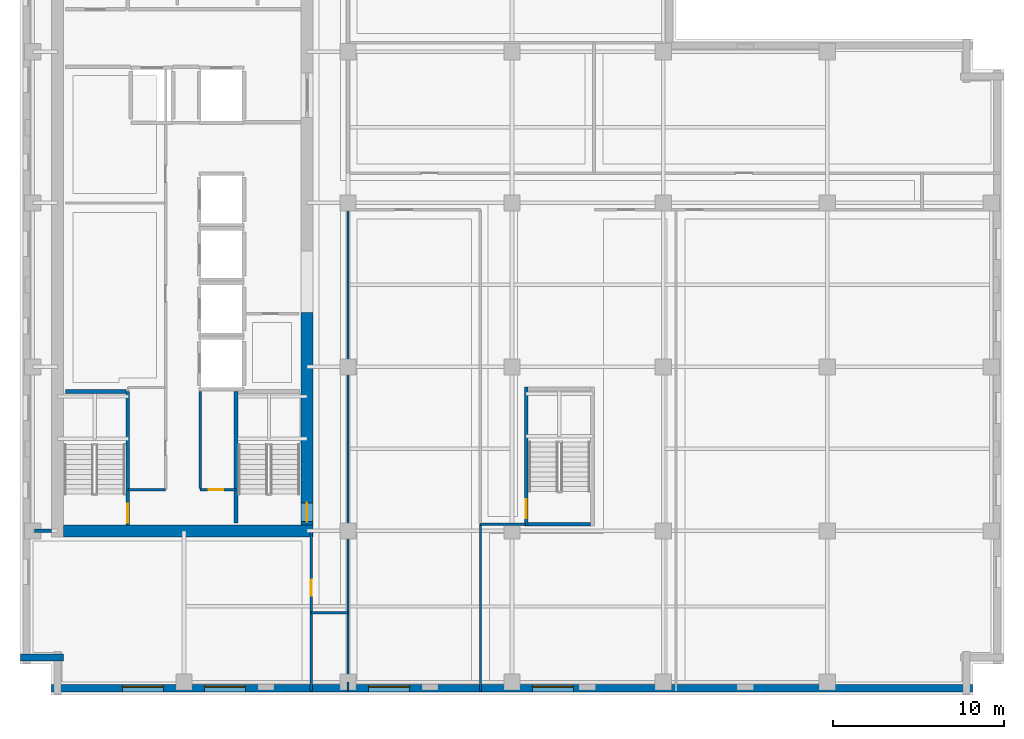
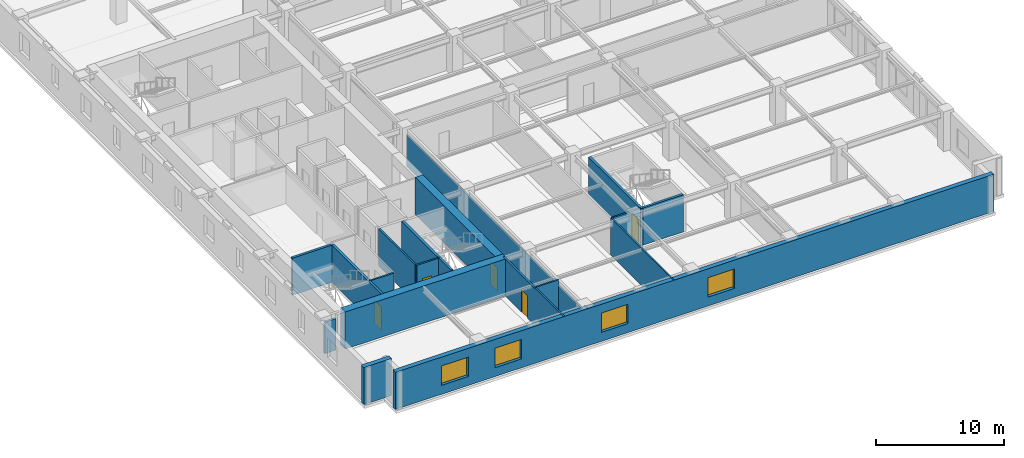
# One storey, part 3 of 12: 19 walls, 5 doors, 4 windows, 9 openings.
"""IFC4 building model written with IfcOpenShell, lengths in metres."""

from ifc_helpers import new_model, si_unit, direction, frame, frame_2d, origin, place, context, subcontext, project, spatial, rectangle, extrude, material, layer, layer_set, type_object, element, fill, save


model = new_model("IFC4")

# Units and contexts
model_context = context("Model", 3, precision=1e-05, world=origin(), true_north=direction((0.0, 1.0)))
body_context = subcontext(model_context, "Body", "Model", "MODEL_VIEW")
ifc_project = project(units=[si_unit("LENGTHUNIT", "METRE"), si_unit("AREAUNIT", "SQUARE_METRE"), si_unit("VOLUMEUNIT", "CUBIC_METRE"), si_unit("PLANEANGLEUNIT", "RADIAN"), si_unit("MASSUNIT", "GRAM", prefix="KILO")], contexts=[model_context])

# Site, building, storey
site_placement = place(None, origin())
site = spatial("IfcSite", under=ifc_project, at=site_placement, CompositionType="ELEMENT")
building_placement = place(site_placement, origin())
building = spatial("IfcBuilding", under=site, at=building_placement, Name="Norrvale University Quadrangle", CompositionType="ELEMENT")
storey_placement = place(building_placement, frame((0.0, 0.0, 186.39990234375)))
storey = spatial("IfcBuildingStorey", under=building, at=storey_placement, Name="L47", CompositionType="ELEMENT", Elevation=186.39990234375)

# Wall, openings, windows
ifc_material_1 = material(Name="Buff Norman Clay Brick Masonry", Category="masonry")
ifc_layer_1 = layer(ifc_material_1, 0.419921875, Name="Buff Norman Clay Brick Masonry")
ifc_layer_set_1 = layer_set([ifc_layer_1], Name="Buff Norman Clay Brick Masonry")
wall_type_1 = type_object("IfcWallType", Name="Wall Buff Brick 420", PredefinedType="SOLIDWALL", material=ifc_layer_set_1)
wall_1_placement = place(storey_placement, frame((1.840087890625, 0.389892578125, 0.0), z_axis=(0.0, 0.0, 1.0), x_axis=(1.0, 0.0, 0.0)))
wall_1 = element("IfcWall", 1, at=wall_1_placement, inside=storey, type_object=wall_type_1, Name="Exterior Brick Facade Wall L47-01.1", PredefinedType="SOLIDWALL", context=body_context, shape_type="SweptSolid", body=[
    extrude(rectangle(XDim=53.919921875, YDim=0.419921875, at=frame_2d((26.9599609375, 0.0))), origin(), (0.0, 0.0, 1.0), 3.5400390625),
])
opening_1_placement = place(wall_1_placement, frame((4.159912109375, 0.0, 0.85009765625)))
opening_1 = element("IfcOpeningElement", 2, at=opening_1_placement, cuts=wall_1, Name="Opening W02", PredefinedType="OPENING", context=body_context, shape_type="SweptSolid", body=[
    extrude(rectangle(XDim=2.39990234375, YDim=1.85009765625, at=frame_2d((1.199951171875, 0.925048828125))), frame((0.0, 0.221923828125, 0.0), z_axis=(0.0, -1.0, 0.0), x_axis=(1.0, 0.0, 0.0)), (0.0, 0.0, 1.0), 0.44384765625),
])
opening_2_placement = place(wall_1_placement, frame((8.9599609375, 0.0, 0.85009765625)))
opening_2 = element("IfcOpeningElement", 3, at=opening_2_placement, cuts=wall_1, Name="Opening W02", PredefinedType="OPENING", context=body_context, shape_type="SweptSolid", body=[
    extrude(rectangle(XDim=2.39990234375, YDim=1.85009765625, at=frame_2d((1.199951171875, 0.925048828125))), frame((0.0, 0.221923828125, 0.0), z_axis=(0.0, -1.0, 0.0), x_axis=(1.0, 0.0, 0.0)), (0.0, 0.0, 1.0), 0.44384765625),
])
opening_3_placement = place(wall_1_placement, frame((18.56005859375, 0.0, 0.85009765625)))
opening_3 = element("IfcOpeningElement", 4, at=opening_3_placement, cuts=wall_1, Name="Opening W02", PredefinedType="OPENING", context=body_context, shape_type="SweptSolid", body=[
    extrude(rectangle(XDim=2.39990234375, YDim=1.85009765625, at=frame_2d((1.199951171875, 0.925048828125))), frame((0.0, 0.221923828125, 0.0), z_axis=(0.0, -1.0, 0.0), x_axis=(1.0, 0.0, 0.0)), (0.0, 0.0, 1.0), 0.44384765625),
])
opening_4_placement = place(wall_1_placement, frame((28.159912109375, 0.0, 0.85009765625)))
opening_4 = element("IfcOpeningElement", 5, at=opening_4_placement, cuts=wall_1, Name="Opening W02", PredefinedType="OPENING", context=body_context, shape_type="SweptSolid", body=[
    extrude(rectangle(XDim=2.39990234375, YDim=1.85009765625, at=frame_2d((1.199951171875, 0.925048828125))), frame((0.0, 0.221923828125, 0.0), z_axis=(0.0, -1.0, 0.0), x_axis=(1.0, 0.0, 0.0)), (0.0, 0.0, 1.0), 0.44384765625),
])
ifc_material_2 = material(Name="Triple Low-E Argon Glazing", Category="glass")
window_type = type_object("IfcWindowType", Name="Window Academic 2400x2300", PartitioningType="TRIPLE_PANEL_VERTICAL", PredefinedType="WINDOW", material=ifc_material_2)
window_1_placement = place(opening_1_placement, origin())
window_1 = element("IfcWindow", 6, at=window_1_placement, inside=storey, type_object=window_type, Name="Window Academic 2400x2300 WIN-L47-E01-1-01", OverallHeight=1.85009765625, OverallWidth=2.39990234375, PartitioningType="TRIPLE_PANEL_VERTICAL", PredefinedType="WINDOW", context=body_context, shape_type="SweptSolid", body=[
    extrude(rectangle(XDim=2.39990234375, YDim=1.85009765625, at=frame_2d((1.199951171875, 0.925048828125))), frame((0.0, 0.110107421875, 0.0), z_axis=(0.0, -1.0, 0.0), x_axis=(1.0, 0.0, 0.0)), (0.0, 0.0, 1.0), 0.06005859375),
])
fill(opening_1, window_1)
window_2_placement = place(opening_2_placement, origin())
window_2 = element("IfcWindow", 7, at=window_2_placement, inside=storey, type_object=window_type, Name="Window Academic 2400x2300 WIN-L47-E01-1-02", OverallHeight=1.85009765625, OverallWidth=2.39990234375, PartitioningType="TRIPLE_PANEL_VERTICAL", PredefinedType="WINDOW", context=body_context, shape_type="SweptSolid", body=[
    extrude(rectangle(XDim=2.39990234375, YDim=1.85009765625, at=frame_2d((1.199951171875, 0.925048828125))), frame((0.0, 0.110107421875, 0.0), z_axis=(0.0, -1.0, 0.0), x_axis=(1.0, 0.0, 0.0)), (0.0, 0.0, 1.0), 0.06005859375),
])
fill(opening_2, window_2)
window_3_placement = place(opening_3_placement, origin())
window_3 = element("IfcWindow", 8, at=window_3_placement, inside=storey, type_object=window_type, Name="Window Academic 2400x2300 WIN-L47-E01-1-03", OverallHeight=1.85009765625, OverallWidth=2.39990234375, PartitioningType="TRIPLE_PANEL_VERTICAL", PredefinedType="WINDOW", context=body_context, shape_type="SweptSolid", body=[
    extrude(rectangle(XDim=2.39990234375, YDim=1.85009765625, at=frame_2d((1.199951171875, 0.925048828125))), frame((0.0, 0.110107421875, 0.0), z_axis=(0.0, -1.0, 0.0), x_axis=(1.0, 0.0, 0.0)), (0.0, 0.0, 1.0), 0.06005859375),
])
fill(opening_3, window_3)
window_4_placement = place(opening_4_placement, origin())
window_4 = element("IfcWindow", 9, at=window_4_placement, inside=storey, type_object=window_type, Name="Window Academic 2400x2300 WIN-L47-E01-1-04", OverallHeight=1.85009765625, OverallWidth=2.39990234375, PartitioningType="TRIPLE_PANEL_VERTICAL", PredefinedType="WINDOW", context=body_context, shape_type="SweptSolid", body=[
    extrude(rectangle(XDim=2.39990234375, YDim=1.85009765625, at=frame_2d((1.199951171875, 0.925048828125))), frame((0.0, 0.110107421875, 0.0), z_axis=(0.0, -1.0, 0.0), x_axis=(1.0, 0.0, 0.0)), (0.0, 0.0, 1.0), 0.06005859375),
])
fill(opening_4, window_4)

# Walls
wall_2_placement = place(storey_placement, frame((0.0400390625, 2.18994140625, 0.0), z_axis=(0.0, 0.0, 1.0), x_axis=(1.0, 0.0, 0.0)))
element("IfcWall", 10, at=wall_2_placement, inside=storey, type_object=wall_type_1, Name="Exterior Brick Facade Wall L47-15.1", PredefinedType="SOLIDWALL", context=body_context, shape_type="SweptSolid", body=[
    extrude(rectangle(XDim=2.5, YDim=0.419921875, at=frame_2d((1.25, 0.0))), origin(), (0.0, 0.0, 1.0), 3.5400390625),
])
ifc_material_3 = material(Name="Concrete C60/75", Category="concrete")
ifc_layer_2 = layer(ifc_material_3, 0.699951171875, Name="Concrete C60/75")
ifc_layer_set_2 = layer_set([ifc_layer_2], Name="Concrete C60/75")
wall_type_2 = type_object("IfcWallType", Name="Wall Core 700", PredefinedType="SHEAR", material=ifc_layer_set_2)
wall_3_placement = place(storey_placement, frame((2.550048828125, 9.60009765625, 0.0), z_axis=(0.0, 0.0, 1.0), x_axis=(1.0, 0.0, 0.0)))
element("IfcWall", 11, at=wall_3_placement, inside=storey, type_object=wall_type_2, Name="Tower Core Shear Wall L47-S", PredefinedType="SHEAR", context=body_context, shape_type="SweptSolid", body=[
    extrude(rectangle(XDim=14.599853515625, YDim=0.699951171875, at=frame_2d((7.2998046875, 0.0))), origin(), (0.0, 0.0, 1.0), 3.5400390625),
])

# Wall, opening, door
wall_4_placement = place(storey_placement, frame((16.800048828125, 9.949951171875, 0.0), z_axis=(0.0, 0.0, 1.0), x_axis=(0.0, 1.0, 0.0)))
wall_4 = element("IfcWall", 12, at=wall_4_placement, inside=storey, type_object=wall_type_2, Name="Tower Core Shear Wall L47-E1", PredefinedType="SHEAR", context=body_context, shape_type="SweptSolid", body=[
    extrude(rectangle(XDim=12.449951171875, YDim=0.699951171875, at=frame_2d((6.22509765625, 0.0))), origin(), (0.0, 0.0, 1.0), 3.5400390625),
])
opening_5_placement = place(wall_4_placement, frame((0.18994140625, 0.0, 0.0)))
opening_5 = element("IfcOpeningElement", 13, at=opening_5_placement, cuts=wall_4, Name="Opening D02", PredefinedType="OPENING", context=body_context, shape_type="SweptSolid", body=[
    extrude(rectangle(XDim=1.10009765625, YDim=2.199951171875, at=frame_2d((0.550048828125, 1.10009765625))), frame((0.0, 0.362060546875, 0.0), z_axis=(0.0, -1.0, 0.0), x_axis=(1.0, 0.0, 0.0)), (0.0, 0.0, 1.0), 0.723876953125),
])
ifc_material_4 = material(Name="Hollow Steel 350W Fire Door", Category="steel")
door_type_1 = type_object("IfcDoorType", Name="Door Stair Exit 1100x2200", OperationType="NOTDEFINED", PredefinedType="DOOR", material=ifc_material_4)
door_1_placement = place(opening_5_placement, origin())
door_1 = element("IfcDoor", 14, at=door_1_placement, inside=storey, type_object=door_type_1, Name="Door Stair Exit 1100x2200 DR-L47-ST03", OperationType="SINGLE_SWING_LEFT", OverallHeight=2.199951171875, OverallWidth=1.10009765625, PredefinedType="DOOR", context=body_context, shape_type="SweptSolid", body=[
    extrude(rectangle(XDim=1.10009765625, YDim=2.199951171875, at=frame_2d((0.550048828125, 1.10009765625))), frame((0.0, 0.02490234375, 0.0), z_axis=(0.0, -1.0, 0.0), x_axis=(1.0, 0.0, 0.0)), (0.0, 0.0, 1.0), 0.050048828125),
])
fill(opening_5, door_1)

# Walls
ifc_material_5 = material(Name="Standard Academic Gypsum Partition")
ifc_layer_3 = layer(ifc_material_5, 0.125, Name="Standard Academic Gypsum Partition")
ifc_layer_set_3 = layer_set([ifc_layer_3], Name="Standard Academic Gypsum Partition")
wall_type_3 = type_object("IfcWallType", Name="Wall Gypsum Academic 125", PredefinedType="PARTITIONING", material=ifc_layer_set_3)
wall_5_placement = place(storey_placement, frame((19.199951171875, 0.219970703125, 0.0), z_axis=(0.0, 0.0, 1.0), x_axis=(0.0, 1.0, 0.0)))
element("IfcWall", 15, at=wall_5_placement, inside=storey, type_object=wall_type_3, Name="Interior Partition WL-L47-SE-W0", PredefinedType="PARTITIONING", context=body_context, shape_type="SweptSolid", body=[
    extrude(rectangle(XDim=0.530029296875, YDim=0.125, at=frame_2d((0.26513671875, 0.0))), origin(), (0.0, 0.0, 1.0), 3.5400390625),
])
wall_6_placement = place(storey_placement, frame((19.199951171875, 0.75, 0.0), z_axis=(0.0, 0.0, 1.0), x_axis=(0.0, 1.0, 0.0)))
element("IfcWall", 16, at=wall_6_placement, inside=storey, type_object=wall_type_3, Name="Interior Partition WL-L47-SE-W0-B2", PredefinedType="PARTITIONING", context=body_context, shape_type="SweptSolid", body=[
    extrude(rectangle(XDim=27.64990234375, YDim=0.125, at=frame_2d((13.824951171875, 0.0))), origin(), (0.0, 0.0, 1.0), 3.007080078125),
])
wall_7_placement = place(storey_placement, frame((26.949951171875, 0.219970703125, 0.0), z_axis=(0.0, 0.0, 1.0), x_axis=(0.0, 1.0, 0.0)))
element("IfcWall", 17, at=wall_7_placement, inside=storey, type_object=wall_type_3, Name="Interior Partition WL-L47-SEP1A", PredefinedType="PARTITIONING", context=body_context, shape_type="SweptSolid", body=[
    extrude(rectangle(XDim=9.780029296875, YDim=0.125, at=frame_2d((4.89013671875, 0.0))), origin(), (0.0, 0.0, 1.0), 3.5400390625),
])

# Wall, opening, door
ifc_material_6 = material(Name="Fire-Rated Gypsum Stud Partition")
ifc_layer_4 = layer(ifc_material_6, 0.14990234375, Name="Fire-Rated Gypsum Stud Partition")
ifc_layer_set_4 = layer_set([ifc_layer_4], Name="Fire-Rated Gypsum Stud Partition")
wall_type_4 = type_object("IfcWallType", Name="Wall Gypsum Corridor 150", PredefinedType="PARTITIONING", material=ifc_layer_set_4)
wall_8_placement = place(storey_placement, frame((10.550048828125, 12.02001953125, 0.0), z_axis=(0.0, 0.0, 1.0), x_axis=(1.0, 0.0, 0.0)))
wall_8 = element("IfcWall", 18, at=wall_8_placement, inside=storey, type_object=wall_type_4, Name="Interior Partition WL-L47-SC-NR", PredefinedType="PARTITIONING", context=body_context, shape_type="SweptSolid", body=[
    extrude(rectangle(XDim=2.079833984375, YDim=0.14990234375, at=frame_2d((1.0400390625, 0.0))), origin(), (0.0, 0.0, 1.0), 3.5400390625),
])
opening_6_placement = place(wall_8_placement, frame((0.5, 0.0, 0.0)))
opening_6 = element("IfcOpeningElement", 19, at=opening_6_placement, cuts=wall_8, Name="Opening D10", PredefinedType="OPENING", context=body_context, shape_type="SweptSolid", body=[
    extrude(rectangle(XDim=0.85009765625, YDim=2.10009765625, at=frame_2d((0.425048828125, 1.050048828125))), frame((0.0, 0.0869140625, 0.0), z_axis=(0.0, -1.0, 0.0), x_axis=(1.0, 0.0, 0.0)), (0.0, 0.0, 1.0), 0.173828125),
])
ifc_material_7 = material(Name="Hollow Steel 350W Riser Fire Door", Category="steel")
door_type_2 = type_object("IfcDoorType", Name="Door Riser 850x2100", OperationType="NOTDEFINED", PredefinedType="DOOR", material=ifc_material_7)
door_2_placement = place(opening_6_placement, origin())
door_2 = element("IfcDoor", 20, at=door_2_placement, inside=storey, type_object=door_type_2, Name="Door Riser 850x2100 DR-L47-IDF", OperationType="SINGLE_SWING_RIGHT", OverallHeight=2.10009765625, OverallWidth=0.85009765625, PredefinedType="DOOR", context=body_context, shape_type="SweptSolid", body=[
    extrude(rectangle(XDim=0.85009765625, YDim=2.10009765625, at=frame_2d((0.425048828125, 1.050048828125))), frame((0.0, 0.02490234375, 0.0), z_axis=(0.0, -1.0, 0.0), x_axis=(1.0, 0.0, 0.0)), (0.0, 0.0, 1.0), 0.050048828125),
])
fill(opening_6, door_2)

# Walls
wall_9_placement = place(storey_placement, frame((10.550048828125, 12.094970703125, 0.0), z_axis=(0.0, 0.0, 1.0), x_axis=(0.0, 1.0, 0.0)))
element("IfcWall", 21, at=wall_9_placement, inside=storey, type_object=wall_type_4, Name="Interior Partition WL-L47-SC-WR", PredefinedType="PARTITIONING", context=body_context, shape_type="SweptSolid", body=[
    extrude(rectangle(XDim=5.679931640625, YDim=0.14990234375, at=frame_2d((2.83984375, 0.0))), origin(), (0.0, 0.0, 1.0), 3.5400390625),
])
wall_10_placement = place(storey_placement, frame((6.320068359375, 12.02001953125, 0.0), z_axis=(0.0, 0.0, 1.0), x_axis=(1.0, 0.0, 0.0)))
element("IfcWall", 22, at=wall_10_placement, inside=storey, type_object=wall_type_4, Name="Interior Partition WL-L47-REC-S", PredefinedType="PARTITIONING", context=body_context, shape_type="SweptSolid", body=[
    extrude(rectangle(XDim=2.199951171875, YDim=0.14990234375, at=frame_2d((1.10009765625, 0.0))), origin(), (0.0, 0.0, 1.0), 3.5400390625),
])
wall_11_placement = place(storey_placement, frame((17.050048828125, 4.800048828125, 0.0), z_axis=(0.0, 0.0, 1.0), x_axis=(1.0, 0.0, 0.0)))
element("IfcWall", 23, at=wall_11_placement, inside=storey, type_object=wall_type_4, Name="Interior Partition WL-L47-CSP-S", PredefinedType="PARTITIONING", context=body_context, shape_type="SweptSolid", body=[
    extrude(rectangle(XDim=2.14990234375, YDim=0.14990234375, at=frame_2d((1.074951171875, 0.0))), origin(), (0.0, 0.0, 1.0), 3.5400390625),
])

# Wall, opening, door
wall_12_placement = place(storey_placement, frame((17.050048828125, 0.219970703125, 0.0), z_axis=(0.0, 0.0, 1.0), x_axis=(0.0, 1.0, 0.0)))
wall_12 = element("IfcWall", 24, at=wall_12_placement, inside=storey, type_object=wall_type_4, Name="Interior Partition WL-L47-SW-E", PredefinedType="PARTITIONING", context=body_context, shape_type="SweptSolid", body=[
    extrude(rectangle(XDim=9.380126953125, YDim=0.14990234375, at=frame_2d((4.68994140625, 0.0))), origin(), (0.0, 0.0, 1.0), 3.5400390625),
])
opening_7_placement = place(wall_12_placement, frame((5.580078125, 0.0, 0.0)))
opening_7 = element("IfcOpeningElement", 25, at=opening_7_placement, cuts=wall_12, Name="Opening D07", PredefinedType="OPENING", context=body_context, shape_type="SweptSolid", body=[
    extrude(rectangle(XDim=0.949951171875, YDim=2.14990234375, at=frame_2d((0.47509765625, 1.074951171875))), frame((0.0, 0.0869140625, 0.0), z_axis=(0.0, -1.0, 0.0), x_axis=(1.0, 0.0, 0.0)), (0.0, 0.0, 1.0), 0.173828125),
])
ifc_material_8 = material(Name="Solid-Core Maple Door", Category="wood")
door_type_3 = type_object("IfcDoorType", Name="Door Office 950x2150", OperationType="NOTDEFINED", PredefinedType="DOOR", material=ifc_material_8)
door_3_placement = place(opening_7_placement, origin())
door_3 = element("IfcDoor", 26, at=door_3_placement, inside=storey, type_object=door_type_3, Name="Door Office 950x2150 DR-L47-SW1", OperationType="SINGLE_SWING_LEFT", OverallHeight=2.14990234375, OverallWidth=0.949951171875, PredefinedType="DOOR", context=body_context, shape_type="SweptSolid", body=[
    extrude(rectangle(XDim=0.949951171875, YDim=2.14990234375, at=frame_2d((0.47509765625, 1.074951171875))), frame((0.0, 0.02490234375, 0.0), z_axis=(0.0, -1.0, 0.0), x_axis=(1.0, 0.0, 0.0)), (0.0, 0.0, 1.0), 0.050048828125),
])
fill(opening_7, door_3)

# Walls
wall_13_placement = place(storey_placement, frame((26.949951171875, 10.0, 0.0), z_axis=(0.0, 0.0, 1.0), x_axis=(1.0, 0.0, 0.0)))
element("IfcWall", 27, at=wall_13_placement, inside=storey, type_object=wall_type_4, Name="Interior Partition WL-L47-SEP1C", PredefinedType="PARTITIONING", context=body_context, shape_type="SweptSolid", body=[
    extrude(rectangle(XDim=2.630126953125, YDim=0.14990234375, at=frame_2d((1.31494140625, 0.0))), origin(), (0.0, 0.0, 1.0), 3.5400390625),
])
ifc_material_9 = material(Name="Concrete Blockwork 20 MPa Rated Wall", Category="masonry")
ifc_layer_5 = layer(ifc_material_9, 0.199951171875, Name="Concrete Blockwork 20 MPa Rated Wall")
ifc_layer_set_5 = layer_set([ifc_layer_5], Name="Concrete Blockwork 20 MPa Rated Wall")
wall_type_5 = type_object("IfcWallType", Name="Wall Lobby 200", PredefinedType="SOLIDWALL", material=ifc_layer_set_5)
wall_14_placement = place(storey_placement, frame((0.85009765625, 9.60009765625, 0.0), z_axis=(0.0, 0.0, 1.0), x_axis=(1.0, 0.0, 0.0)))
element("IfcWall", 28, at=wall_14_placement, inside=storey, type_object=wall_type_5, Name="Interior Partition WL-L47-CWRET-S", PredefinedType="SOLIDWALL", context=body_context, shape_type="SweptSolid", body=[
    extrude(rectangle(XDim=0.994873046875, YDim=0.199951171875, at=frame_2d((0.49755859375, 0.0))), origin(), (0.0, 0.0, 1.0), 3.007080078125),
])

# Wall, opening, door
ifc_material_10 = material(Name="Concrete Blockwork 20 MPa Fire Shaft", Category="masonry")
ifc_layer_6 = layer(ifc_material_10, 0.219970703125, Name="Concrete Blockwork 20 MPa Fire Shaft")
ifc_layer_set_6 = layer_set([ifc_layer_6], Name="Concrete Blockwork 20 MPa Fire Shaft")
wall_type_6 = type_object("IfcWallType", Name="Wall Shaft 220", PredefinedType="SOLIDWALL", material=ifc_layer_set_6)
wall_15_placement = place(storey_placement, frame((6.31005859375, 9.949951171875, 0.0), z_axis=(0.0, 0.0, 1.0), x_axis=(0.0, 1.0, 0.0)))
wall_15 = element("IfcWall", 29, at=wall_15_placement, inside=storey, type_object=wall_type_6, Name="Stair ST-01 East Shaft Wall L47", PredefinedType="SOLIDWALL", context=body_context, shape_type="SweptSolid", body=[
    extrude(rectangle(XDim=7.81005859375, YDim=0.219970703125, at=frame_2d((3.905029296875, 0.0))), origin(), (0.0, 0.0, 1.0), 3.5400390625),
])
opening_8_placement = place(wall_15_placement, frame((0.139892578125, 0.0, 0.0)))
opening_8 = element("IfcOpeningElement", 30, at=opening_8_placement, cuts=wall_15, Name="Opening D02", PredefinedType="OPENING", context=body_context, shape_type="SweptSolid", body=[
    extrude(rectangle(XDim=1.10009765625, YDim=2.199951171875, at=frame_2d((0.550048828125, 1.10009765625))), frame((0.0, 0.1220703125, 0.0), z_axis=(0.0, -1.0, 0.0), x_axis=(1.0, 0.0, 0.0)), (0.0, 0.0, 1.0), 0.243896484375),
])
door_4_placement = place(opening_8_placement, origin())
door_4 = element("IfcDoor", 31, at=door_4_placement, inside=storey, type_object=door_type_1, Name="Door Stair Exit 1100x2200 DR-L47-ST01", OperationType="SINGLE_SWING_LEFT", OverallHeight=2.199951171875, OverallWidth=1.10009765625, PredefinedType="DOOR", context=body_context, shape_type="SweptSolid", body=[
    extrude(rectangle(XDim=1.10009765625, YDim=2.199951171875, at=frame_2d((0.550048828125, 1.10009765625))), frame((0.0, 0.02490234375, 0.0), z_axis=(0.0, -1.0, 0.0), x_axis=(1.0, 0.0, 0.0)), (0.0, 0.0, 1.0), 0.050048828125),
])
fill(opening_8, door_4)

# Walls
wall_16_placement = place(storey_placement, frame((2.64990234375, 17.760009765625, 0.0), z_axis=(0.0, 0.0, 1.0), x_axis=(1.0, 0.0, 0.0)))
element("IfcWall", 32, at=wall_16_placement, inside=storey, type_object=wall_type_6, Name="Stair ST-01 North Shaft Wall L47", PredefinedType="SOLIDWALL", context=body_context, shape_type="SweptSolid", body=[
    extrude(rectangle(XDim=3.550048828125, YDim=0.219970703125, at=frame_2d((1.77490234375, 0.0))), origin(), (0.0, 0.0, 1.0), 3.5400390625),
])
wall_17_placement = place(storey_placement, frame((12.639892578125, 10.050048828125, 0.0), z_axis=(0.0, 0.0, 1.0), x_axis=(0.0, 1.0, 0.0)))
element("IfcWall", 33, at=wall_17_placement, inside=storey, type_object=wall_type_6, Name="Stair ST-03 West Shaft Wall L47", PredefinedType="SOLIDWALL", context=body_context, shape_type="SweptSolid", body=[
    extrude(rectangle(XDim=7.7099609375, YDim=0.219970703125, at=frame_2d((3.85498046875, 0.0))), origin(), (0.0, 0.0, 1.0), 3.5400390625),
])
wall_18_placement = place(storey_placement, frame((29.75, 9.989990234375, 0.0), z_axis=(0.0, 0.0, 1.0), x_axis=(1.0, 0.0, 0.0)))
element("IfcWall", 34, at=wall_18_placement, inside=storey, type_object=wall_type_6, Name="Stair ST-04 South Shaft Wall L47", PredefinedType="SOLIDWALL", context=body_context, shape_type="SweptSolid", body=[
    extrude(rectangle(XDim=3.64990234375, YDim=0.219970703125, at=frame_2d((1.824951171875, 0.0))), origin(), (0.0, 0.0, 1.0), 3.5400390625),
])

# Wall, opening, door
wall_19_placement = place(storey_placement, frame((29.639892578125, 9.8798828125, 0.0), z_axis=(0.0, 0.0, 1.0), x_axis=(0.0, 1.0, 0.0)))
wall_19 = element("IfcWall", 35, at=wall_19_placement, inside=storey, type_object=wall_type_6, Name="Stair ST-04 West Shaft Wall L47", PredefinedType="SOLIDWALL", context=body_context, shape_type="SweptSolid", body=[
    extrude(rectangle(XDim=8.14013671875, YDim=0.219970703125, at=frame_2d((4.070068359375, 0.0))), origin(), (0.0, 0.0, 1.0), 3.5400390625),
])
opening_9_placement = place(wall_19_placement, frame((0.469970703125, 0.0, 0.0)))
opening_9 = element("IfcOpeningElement", 36, at=opening_9_placement, cuts=wall_19, Name="Opening D02", PredefinedType="OPENING", context=body_context, shape_type="SweptSolid", body=[
    extrude(rectangle(XDim=1.10009765625, YDim=2.199951171875, at=frame_2d((0.550048828125, 1.10009765625))), frame((0.0, 0.1220703125, 0.0), z_axis=(0.0, -1.0, 0.0), x_axis=(1.0, 0.0, 0.0)), (0.0, 0.0, 1.0), 0.243896484375),
])
door_5_placement = place(opening_9_placement, frame((1.10009765625, 0.0, 0.0), z_axis=(0.0, 0.0, 1.0), x_axis=(-1.0, 0.0, 0.0)))
door_5 = element("IfcDoor", 37, at=door_5_placement, inside=storey, type_object=door_type_1, Name="Door Stair Exit 1100x2200 DR-L47-ST04", OperationType="SINGLE_SWING_RIGHT", OverallHeight=2.199951171875, OverallWidth=1.10009765625, PredefinedType="DOOR", context=body_context, shape_type="SweptSolid", body=[
    extrude(rectangle(XDim=1.10009765625, YDim=2.199951171875, at=frame_2d((0.550048828125, 1.10009765625))), frame((0.0, 0.02490234375, 0.0), z_axis=(0.0, -1.0, 0.0), x_axis=(1.0, 0.0, 0.0)), (0.0, 0.0, 1.0), 0.050048828125),
])
fill(opening_9, door_5)

save(model, "model.ifc")
